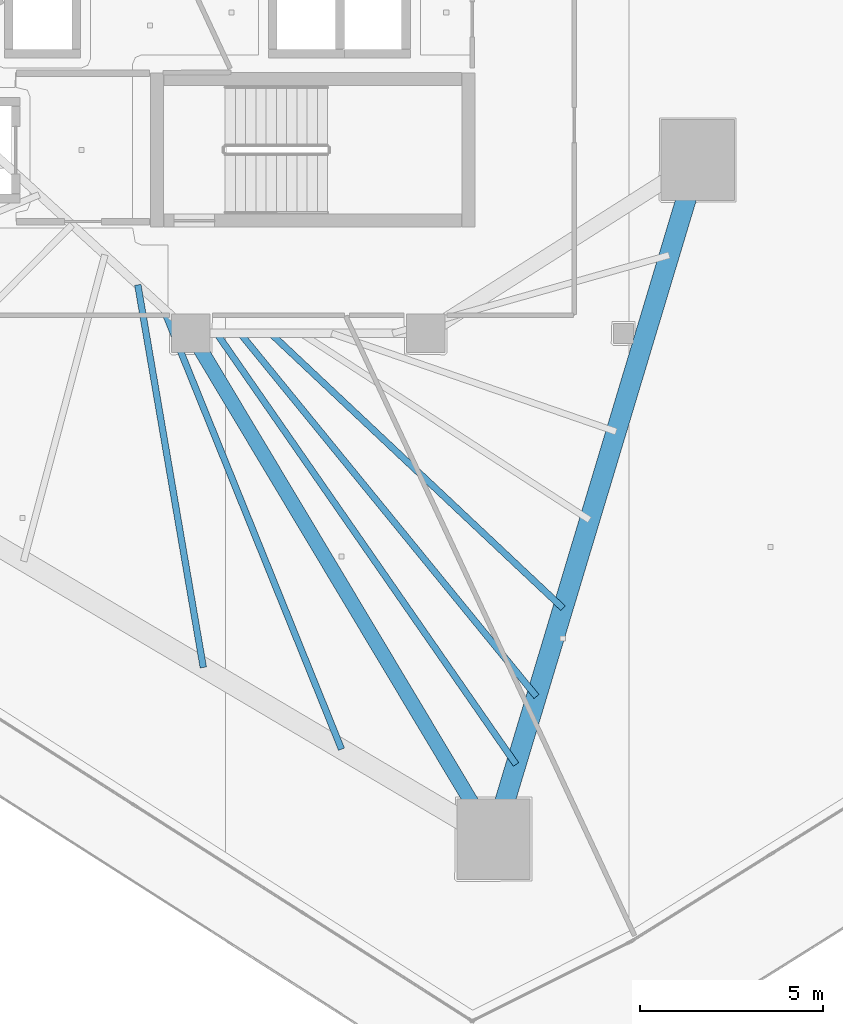
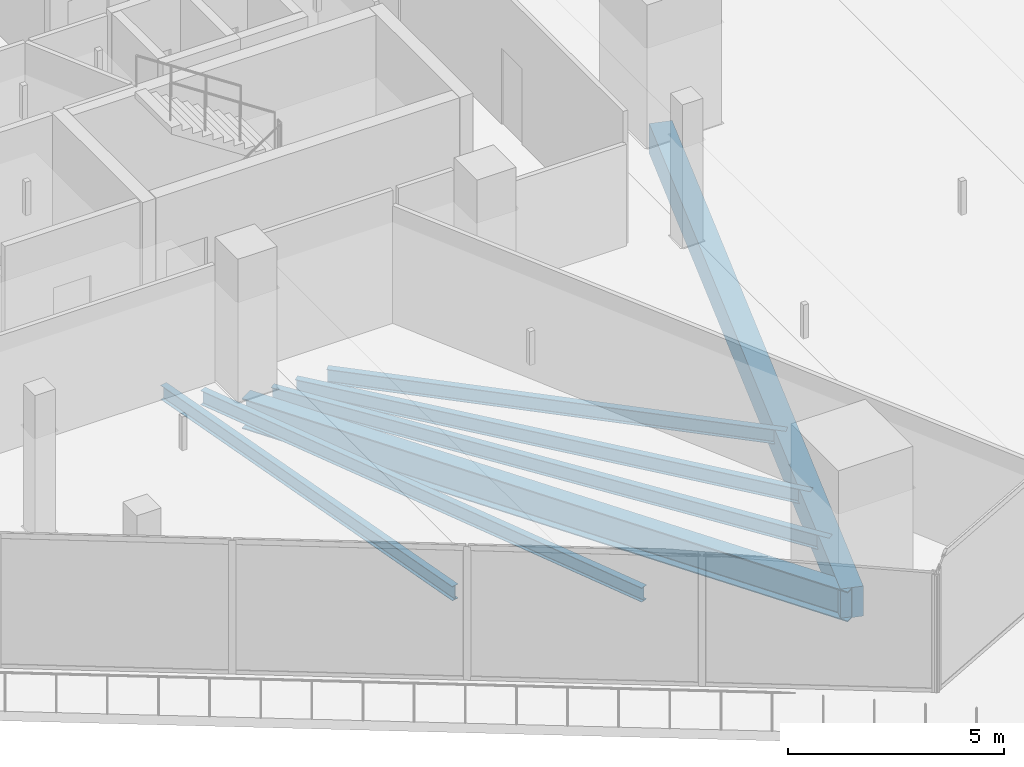
# One storey, part 9 of 38: 7 beams.
"""IFC4 building model written with IfcOpenShell, lengths in metres."""

import ifcopenshell
import ifcopenshell.guid

model = None  # the IFC model being written
_history = None  # IfcOwnerHistory: only IFC2X3 demands one
_inside = {}  # id of a spatial element -> (the spatial element, [elements in it])
_under = {}  # id of a project, library or spatial element -> (it, [spatial elements below it])
_declared = {}  # id of a project -> (the project, [libraries it declares])
_typed = {}  # id of a type object -> (the type object, [elements of that type])
_made_of = {}  # id of a material, layer set ... -> (it, [elements and type objects made of it])


def new_model(schema):
    """Start an empty IFC model of exactly this schema.

    Asked for "IFC4X3", IfcOpenShell would pick the latest addendum, in which some entities
    have other attributes; the version numbers below select the first issue.
    IFC2X3 requires an IfcOwnerHistory on every rooted entity: one is made here for all.
    """
    global model, _history
    if schema == "IFC4X3":
        model = ifcopenshell.file(schema_version=(4, 3, 0, 0))
    else:
        model = ifcopenshell.file(schema=schema)
    _inside.clear()
    _under.clear()
    _declared.clear()
    _typed.clear()
    _made_of.clear()
    _history = None
    if model.schema == "IFC2X3":
        org = make("IfcOrganization", Name="unknown")
        user = make(
            "IfcPersonAndOrganization",
            ThePerson=make("IfcPerson", FamilyName="unknown"),
            TheOrganization=org,
        )
        app = make(
            "IfcApplication",
            ApplicationDeveloper=org,
            Version="unknown",
            ApplicationFullName="unknown",
            ApplicationIdentifier="unknown",
        )
        _history = make(
            "IfcOwnerHistory",
            OwningUser=user,
            OwningApplication=app,
            ChangeAction="ADDED",
            CreationDate=0,
        )
    return model


def make(cls, **values):
    """One entity of the class cls with the attributes given. An attribute that is None is left unset."""
    return model.create_entity(
        cls, **{name: value for name, value in values.items() if value is not None}
    )


def rooted(cls, **values):
    """An entity with a GlobalId (a new one), such as an element, a storey or a relation."""
    return make(cls, GlobalId=ifcopenshell.guid.new(), OwnerHistory=_history, **values)


def si_unit(unit_type, name, prefix=None):
    """IfcSIUnit, for example si_unit("LENGTHUNIT", "METRE", prefix="MILLI")."""
    return make("IfcSIUnit", UnitType=unit_type, Prefix=prefix, Name=name)


def assignment(units):
    """IfcUnitAssignment: the units of a project."""
    return None if units is None else make("IfcUnitAssignment", Units=units)


def point(xyz):
    """IfcCartesianPoint."""
    return None if xyz is None else make("IfcCartesianPoint", Coordinates=xyz)


def direction(xyz):
    """IfcDirection."""
    return None if xyz is None else make("IfcDirection", DirectionRatios=xyz)


def frame(location, z_axis=None, x_axis=None):
    """IfcAxis2Placement3D, a coordinate frame: its origin and axes. An axis left out is left unset."""
    return make(
        "IfcAxis2Placement3D",
        Location=point(location),
        Axis=direction(z_axis),
        RefDirection=direction(x_axis),
    )


def frame_2d(location, x_axis=None):
    """IfcAxis2Placement2D, a coordinate frame in the plane: its origin and x axis."""
    return make(
        "IfcAxis2Placement2D", Location=point(location), RefDirection=direction(x_axis)
    )


def origin():
    """The frame at (0, 0, 0) with its axes left unset."""
    return frame((0.0, 0.0, 0.0))


def origin_2d():
    """The frame at (0, 0) in the plane with its x axis left unset."""
    return frame_2d((0.0, 0.0))


def place(relative_to, where):
    """IfcLocalPlacement: puts the frame where relative to a parent placement (None: the world)."""
    return make(
        "IfcLocalPlacement", PlacementRelTo=relative_to, RelativePlacement=where
    )


def context(
    kind, dimensions, precision=None, world=None, true_north=None, identifier=None
):
    """IfcGeometricRepresentationContext, for example the 3D "Model" context."""
    return make(
        "IfcGeometricRepresentationContext",
        ContextIdentifier=identifier,
        ContextType=kind,
        CoordinateSpaceDimension=dimensions,
        Precision=precision,
        WorldCoordinateSystem=world,
        TrueNorth=true_north,
    )


def subcontext(parent, identifier, kind, view, scale=None):
    """IfcGeometricRepresentationSubContext, for example "Body" below "Model"."""
    return make(
        "IfcGeometricRepresentationSubContext",
        ContextIdentifier=identifier,
        ContextType=kind,
        ParentContext=parent,
        TargetScale=scale,
        TargetView=view,
    )


def project(units=None, contexts=None):
    """IfcProject with its units and contexts."""
    return rooted(
        "IfcProject",
        Name="project",
        RepresentationContexts=contexts,
        UnitsInContext=assignment(units),
    )


def spatial(cls, under=None, at=None, **own):
    """A site, building, storey or space (cls), placed at a placement, below another one or the project."""
    s = rooted(cls, ObjectPlacement=at, **own)
    if under is not None:
        _under.setdefault(under.id(), (under, []))[1].append(s)
    return s


def profile(cls, at=None, kind="AREA", **sizes):
    """A parametric profile (cls). Its sizes go by their IFC names, for example OverallWidth=200.0."""
    return make(cls, ProfileType=kind, Position=at, **sizes)


def rectangle(**sizes):
    """IfcRectangleProfileDef."""
    return profile("IfcRectangleProfileDef", **sizes)


def i_section(**sizes):
    """IfcIShapeProfileDef."""
    return profile("IfcIShapeProfileDef", **sizes)


def extrude(swept, where, along, depth):
    """IfcExtrudedAreaSolid: the profile swept, set in the frame where, extruded along a direction by depth."""
    return make(
        "IfcExtrudedAreaSolid",
        SweptArea=swept,
        Position=where,
        ExtrudedDirection=direction(along),
        Depth=depth,
    )


def shape(context_of_items, identifier, shape_type, items):
    """IfcShapeRepresentation: the items that make up one representation, for example the "Body"."""
    return make(
        "IfcShapeRepresentation",
        ContextOfItems=context_of_items,
        RepresentationIdentifier=identifier,
        RepresentationType=shape_type,
        Items=items,
    )


def material(Name=None, Category=None):
    """IfcMaterial."""
    return make("IfcMaterial", Name=Name, Category=Category)


def material_profile(
    of_material, cross_section, Name=None, Category=None, Priority=None
):
    """IfcMaterialProfile: a cross section and its material."""
    return make(
        "IfcMaterialProfile",
        Name=Name,
        Material=of_material,
        Profile=cross_section,
        Priority=Priority,
        Category=Category,
    )


def profile_set(profiles, Name=None, composite=None):
    """IfcMaterialProfileSet."""
    return make(
        "IfcMaterialProfileSet",
        Name=Name,
        MaterialProfiles=profiles,
        CompositeProfile=composite,
    )


def made_of(thing, what):
    """Note that an element or type object is made of a material, layer set ...; save() writes the relation."""
    if what is not None:
        _made_of.setdefault(what.id(), (what, []))[1].append(thing)
    return thing


def type_object(cls, material=None, **own):
    """A type object (cls), such as IfcWallType, which elements share."""
    return made_of(rooted(cls, **own), material)


def element(
    cls,
    number,
    at=None,
    inside=None,
    cuts=None,
    type_object=None,
    material=None,
    context=None,
    identifier="Body",
    shape_type=None,
    held_by="IfcProductDefinitionShape",
    body=None,
    shapes=None,
    **own,
):
    """One element of the class cls, such as IfcWall. Its Tag is "e" and its number.

    at: its placement. inside: the storey or other place that contains it. cuts: it is an
    opening in that element (IfcRelVoidsElement). A single representation is given by context,
    identifier, shape_type and body (its items); several are given by shapes. held_by: the class
    of the entity that holds the representations. save() writes the other relations.
    """
    e = rooted(cls, Tag="e%d" % number, ObjectPlacement=at, **own)
    if body is not None:
        shapes = [shape(context, identifier, shape_type, body)]
    if shapes is not None:
        e.Representation = make(held_by, Representations=shapes)
    if inside is not None:
        _inside.setdefault(inside.id(), (inside, []))[1].append(e)
    if cuts is not None:
        rooted(
            "IfcRelVoidsElement", RelatingBuildingElement=cuts, RelatedOpeningElement=e
        )
    if type_object is not None:
        _typed.setdefault(type_object.id(), (type_object, []))[1].append(e)
    return made_of(e, material)


def aggregate(whole, parts):
    """IfcRelAggregates: a whole, such as a stair, and the parts it consists of."""
    return rooted("IfcRelAggregates", RelatingObject=whole, RelatedObjects=parts)


def save(model, path):
    """Write the relations noted so far, then the file.

    IfcRelAggregates (storeys below a building ...), IfcRelContainedInSpatialStructure (elements
    in a storey), IfcRelDefinesByType, IfcRelAssociatesMaterial and IfcRelDeclares: one each for
    every whole, place, type object, material and project.
    """
    for whole, parts in _under.values():
        aggregate(whole, parts)
    for where, things in _inside.values():
        rooted(
            "IfcRelContainedInSpatialStructure",
            RelatedElements=things,
            RelatingStructure=where,
        )
    for kind, things in _typed.values():
        rooted("IfcRelDefinesByType", RelatedObjects=things, RelatingType=kind)
    for what, things in _made_of.values():
        rooted("IfcRelAssociatesMaterial", RelatedObjects=things, RelatingMaterial=what)
    for by, libraries in _declared.values():
        rooted("IfcRelDeclares", RelatingContext=by, RelatedDefinitions=libraries)
    model.write(path)


model = new_model("IFC4")

# Units and contexts
model_context = context("Model", 3, precision=1e-05, world=origin(), true_north=direction((0.0, 1.0)))
body_context = subcontext(model_context, "Body", "Model", "MODEL_VIEW")
ifc_project = project(units=[si_unit("LENGTHUNIT", "METRE"), si_unit("AREAUNIT", "SQUARE_METRE"), si_unit("VOLUMEUNIT", "CUBIC_METRE"), si_unit("PLANEANGLEUNIT", "RADIAN"), si_unit("MASSUNIT", "GRAM", prefix="KILO")], contexts=[model_context])

# Site, building, storey
site_placement = place(None, origin())
site = spatial("IfcSite", under=ifc_project, at=site_placement, CompositionType="ELEMENT")
building_placement = place(site_placement, origin())
building = spatial("IfcBuilding", under=site, at=building_placement, Name="Qorvath Tower", CompositionType="ELEMENT")
storey_placement = place(building_placement, frame((0.0, 0.0, 134.10009765625)))
storey = spatial("IfcBuildingStorey", under=building, at=storey_placement, Name="L30", CompositionType="ELEMENT", Elevation=134.10009765625)

# Beams
ifc_material_1 = material(Name="Steel ASTM A992 Grade 50", Category="steel")
ifc_material_profile_1 = material_profile(ifc_material_1, i_section(OverallWidth=0.39892578125, OverallDepth=0.85498046875, WebThickness=0.018310546875, FlangeThickness=0.029296875, FilletRadius=0.02001953125, at=origin_2d()), Name="W33x201")
ifc_profile_set_1 = profile_set([ifc_material_profile_1], Name="Steel ASTM A992 Grade 50")
beam_type_1 = type_object("IfcBeamType", Name="BM-FG2", PredefinedType="BEAM", material=ifc_profile_set_1)
beam_1_placement = place(storey_placement, frame((-23.60009765625, -11.449951171875, -0.697509765625), z_axis=(0.513497213955, -0.85809126045, 0.0), x_axis=(0.85809126045, 0.513497213955, 0.0)))
element("IfcBeam", 1, at=beam_1_placement, inside=storey, type_object=beam_type_1, Name="Radial Floor Girder CC4-MC3 L30", PredefinedType="BEAM", context=body_context, shape_type="SweptSolid", body=[
    extrude(i_section(OverallWidth=0.39892578125, OverallDepth=0.85498046875, WebThickness=0.018310546875, FlangeThickness=0.029296875, FilletRadius=0.02001953125, at=origin_2d()), origin(), (0.0, 0.0, 1.0), 16.07763671875),
])
ifc_material_2 = material(Name="Steel ASTM A992 Grade 50", Category="steel")
ifc_material_profile_2 = material_profile(ifc_material_2, i_section(OverallWidth=0.177978515625, OverallDepth=0.406005859375, WebThickness=0.0078125, FlangeThickness=0.0126953125, FilletRadius=0.010986328125, at=origin_2d()), Name="W16x40")
ifc_profile_set_2 = profile_set([ifc_material_profile_2], Name="Steel ASTM A992 Grade 50")
beam_type_2 = type_object("IfcBeamType", Name="BM-FJ3", PredefinedType="JOIST", material=ifc_profile_set_2)
beam_2_placement = place(storey_placement, frame((-21.424072265625, -11.449951171875, -0.472900390625), z_axis=(0.728572459091, -0.684968737866, 0.0), x_axis=(0.684968737866, 0.728572459091, 0.0)))
element("IfcBeam", 2, at=beam_2_placement, inside=storey, type_object=beam_type_2, Name="Composite Floor Joist SE5 L30", PredefinedType="JOIST", context=body_context, shape_type="SweptSolid", body=[
    extrude(i_section(OverallWidth=0.177978515625, OverallDepth=0.406005859375, WebThickness=0.0078125, FlangeThickness=0.0126953125, FilletRadius=0.010986328125, at=origin_2d()), origin(), (0.0, 0.0, 1.0), 10.9462890625),
])
beam_3_placement = place(storey_placement, frame((-22.256103515625, -11.449951171875, -0.472900390625), z_axis=(0.632187975212, -0.774815051478, 0.0), x_axis=(0.774815051478, 0.632187975212, 0.0)))
element("IfcBeam", 3, at=beam_3_placement, inside=storey, type_object=beam_type_2, Name="Composite Floor Joist SE6 L30", PredefinedType="JOIST", context=body_context, shape_type="SweptSolid", body=[
    extrude(i_section(OverallWidth=0.177978515625, OverallDepth=0.406005859375, WebThickness=0.0078125, FlangeThickness=0.0126953125, FilletRadius=0.010986328125, at=origin_2d()), origin(), (0.0, 0.0, 1.0), 12.784912109375),
])
beam_4_placement = place(storey_placement, frame((-22.89599609375, -11.449951171875, -0.472900390625), z_axis=(0.570366725248, -0.821390162304, 0.0), x_axis=(0.821390162304, 0.570366725248, 0.0)))
element("IfcBeam", 4, at=beam_4_placement, inside=storey, type_object=beam_type_2, Name="Composite Floor Joist SE7 L30", PredefinedType="JOIST", context=body_context, shape_type="SweptSolid", body=[
    extrude(i_section(OverallWidth=0.177978515625, OverallDepth=0.406005859375, WebThickness=0.0078125, FlangeThickness=0.0126953125, FilletRadius=0.010986328125, at=origin_2d()), origin(), (0.0, 0.0, 1.0), 14.3154296875),
])
beam_5_placement = place(storey_placement, frame((-25.049072265625, -10.126953125, -0.472900390625), z_axis=(0.168745594245, -0.985659639238, 0.0), x_axis=(0.985659639238, 0.168745594245, 0.0)))
element("IfcBeam", 5, at=beam_5_placement, inside=storey, type_object=beam_type_2, Name="Composite Floor Joist SW6 L30", PredefinedType="JOIST", context=body_context, shape_type="SweptSolid", body=[
    extrude(i_section(OverallWidth=0.177978515625, OverallDepth=0.406005859375, WebThickness=0.0078125, FlangeThickness=0.0126953125, FilletRadius=0.010986328125, at=origin_2d()), origin(), (0.0, 0.0, 1.0), 10.589111328125),
])
beam_6_placement = place(storey_placement, frame((-24.35888671875, -10.757080078125, -0.472900390625), z_axis=(0.37487652097, -0.927074751045, 0.0), x_axis=(0.927074751045, 0.37487652097, 0.0)))
element("IfcBeam", 6, at=beam_6_placement, inside=storey, type_object=beam_type_2, Name="Composite Floor Joist SW7 L30", PredefinedType="JOIST", context=body_context, shape_type="SweptSolid", body=[
    extrude(i_section(OverallWidth=0.177978515625, OverallDepth=0.406005859375, WebThickness=0.0078125, FlangeThickness=0.0126953125, FilletRadius=0.010986328125, at=origin_2d()), origin(), (0.0, 0.0, 1.0), 12.9833984375),
])
ifc_material_3 = material(Name="Concrete C50/60", Category="concrete")
ifc_material_profile_3 = material_profile(ifc_material_3, rectangle(XDim=0.550048828125, YDim=0.85009765625, at=origin_2d()), Name="RCB 850x550")
ifc_profile_set_3 = profile_set([ifc_material_profile_3], Name="Concrete C50/60")
beam_type_3 = type_object("IfcBeamType", Name="BM-RCB2", PredefinedType="SPANDREL", material=ifc_profile_set_3)
beam_7_placement = place(storey_placement, frame((-15.34423828125, -25.24609375, -0.695068359375), z_axis=(0.288133952099, 0.957590113591, 0.0), x_axis=(-0.957590113591, 0.288133952099, 0.0)))
element("IfcBeam", 7, at=beam_7_placement, inside=storey, type_object=beam_type_3, Name="Perimeter Loggia Frame Beam MC3-MC4 L30", PredefinedType="SPANDREL", context=body_context, shape_type="SweptSolid", body=[
    extrude(rectangle(XDim=0.550048828125, YDim=0.85009765625, at=origin_2d()), origin(), (0.0, 0.0, 1.0), 19.344970703125),
])

save(model, "model.ifc")
